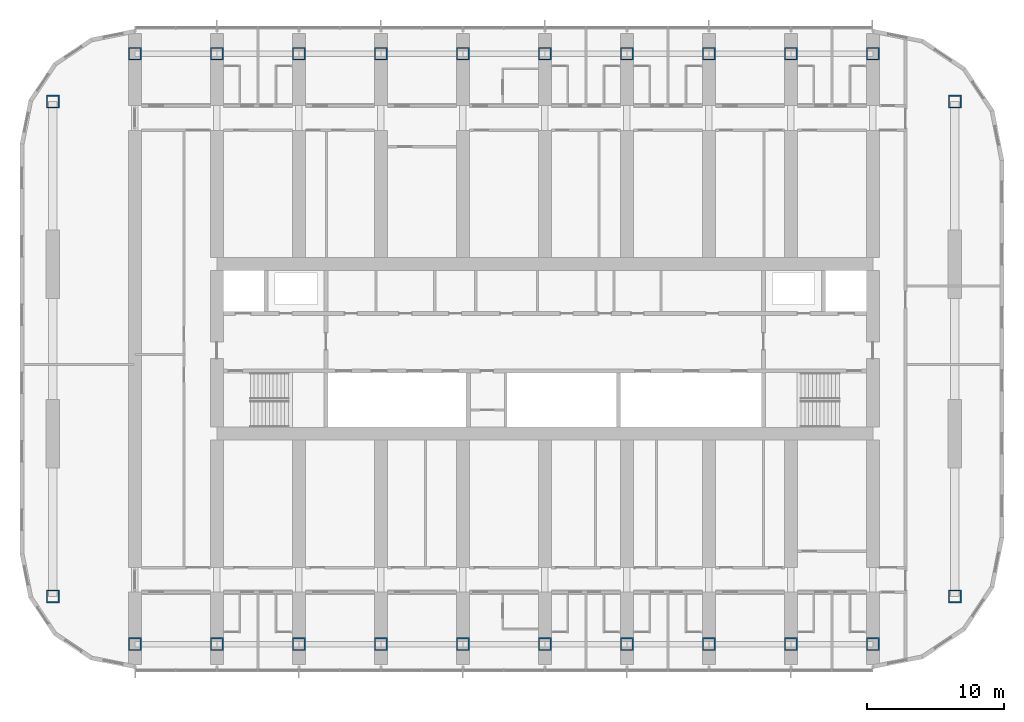
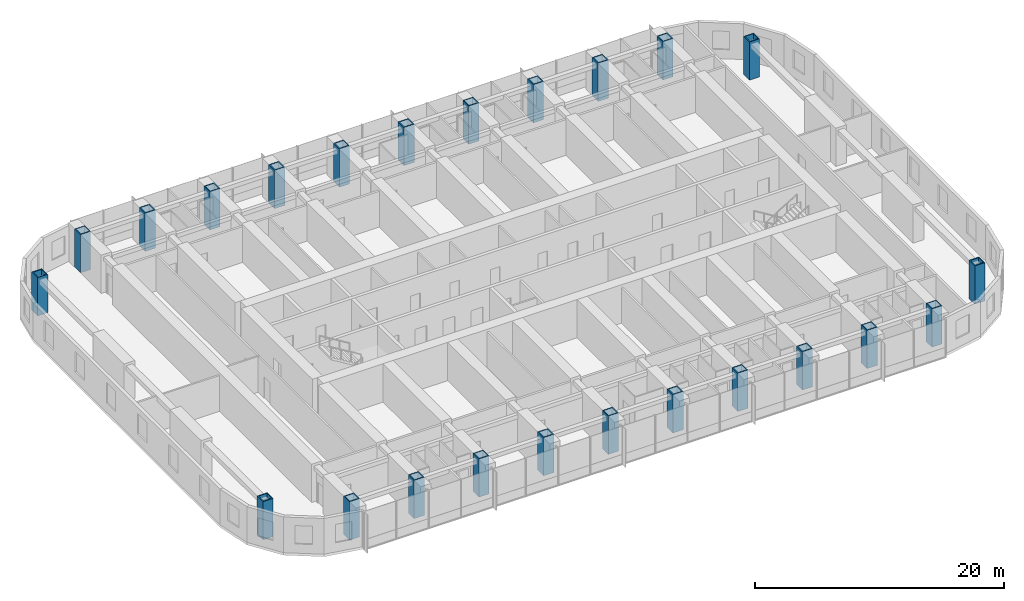
# One storey, part 1 of 21: 24 columns.
"""IFC4 building model written with IfcOpenShell, lengths in metres."""

from ifc_helpers import new_model, si_unit, direction, frame, origin, origin_2d, place, context, subcontext, project, spatial, hollow_rectangle, extrude, material, material_profile, profile_set, type_object, element, save


model = new_model("IFC4")

# Units and contexts
model_context = context("Model", 3, precision=1e-05, world=origin(), true_north=direction((0.0, 1.0)))
body_context = subcontext(model_context, "Body", "Model", "MODEL_VIEW")
ifc_project = project(units=[si_unit("LENGTHUNIT", "METRE"), si_unit("AREAUNIT", "SQUARE_METRE"), si_unit("VOLUMEUNIT", "CUBIC_METRE"), si_unit("PLANEANGLEUNIT", "RADIAN"), si_unit("MASSUNIT", "GRAM", prefix="KILO")], contexts=[model_context])

# Site, building, storey
site_placement = place(None, origin())
site = spatial("IfcSite", under=ifc_project, at=site_placement, CompositionType="ELEMENT")
building_placement = place(site_placement, origin())
building = spatial("IfcBuilding", under=site, at=building_placement, Name="Orbita Commons", CompositionType="ELEMENT")
storey_placement = place(building_placement, frame((0.0, 0.0, 106.89990234375)))
storey = spatial("IfcBuildingStorey", under=building, at=storey_placement, Name="L26", CompositionType="ELEMENT", Elevation=106.89990234375)

# Columns
ifc_material = material(Name="Steel ASTM A572 Gr 50 welded plate", Category="steel")
ifc_material_profile = material_profile(ifc_material, hollow_rectangle(XDim=0.949951171875, YDim=0.949951171875, WallThickness=0.094970703125, at=origin_2d()), Name="BOX 950x950x95")
ifc_profile_set = profile_set([ifc_material_profile], Name="Steel ASTM A572 Gr 50 welded plate")
column_type = type_object("IfcColumnType", Name="Steel column BOX 950x950x95", PredefinedType="COLUMN", material=ifc_profile_set)
for number, where, z_axis, x_axis, name in (
    (1, (12.0, 10.39990234375, 0.0), (0.0, 0.0, 1.0), (1.0, 0.0, 0.0), "Column 3/B L26"),
    (2, (12.0, 53.60009765625, 0.0), (0.0, 0.0, 1.0), (1.0, 0.0, 0.0), "Column 3/E L26"),
    (3, (18.0, 10.39990234375, 0.0), (0.0, 0.0, 1.0), (1.0, 0.0, 0.0), "Column 4/B L26"),
    (4, (18.0, 53.60009765625, 0.0), (0.0, 0.0, 1.0), (1.0, 0.0, 0.0), "Column 4/E L26"),
    (5, (24.0, 10.39990234375, 0.0), (0.0, 0.0, 1.0), (1.0, 0.0, 0.0), "Column 5/B L26"),
    (6, (24.0, 53.60009765625, 0.0), (0.0, 0.0, 1.0), (1.0, 0.0, 0.0), "Column 5/E L26"),
    (7, (30.0, 10.39990234375, 0.0), (0.0, 0.0, 1.0), (1.0, 0.0, 0.0), "Column 6/B L26"),
    (8, (30.0, 53.60009765625, 0.0), (0.0, 0.0, 1.0), (1.0, 0.0, 0.0), "Column 6/E L26"),
    (9, (36.0, 10.39990234375, 0.0), (0.0, 0.0, 1.0), (1.0, 0.0, 0.0), "Column 7/B L26"),
    (10, (36.0, 53.60009765625, 0.0), (0.0, 0.0, 1.0), (1.0, 0.0, 0.0), "Column 7/E L26"),
    (11, (42.0, 10.39990234375, 0.0), (0.0, 0.0, 1.0), (1.0, 0.0, 0.0), "Column 8/B L26"),
    (12, (42.0, 53.60009765625, 0.0), (0.0, 0.0, 1.0), (1.0, 0.0, 0.0), "Column 8/E L26"),
    (13, (48.0, 10.39990234375, 0.0), (0.0, 0.0, 1.0), (1.0, 0.0, 0.0), "Column 9/B L26"),
    (14, (48.0, 53.60009765625, 0.0), (0.0, 0.0, 1.0), (1.0, 0.0, 0.0), "Column 9/E L26"),
    (15, (54.0, 10.39990234375, 0.0), (0.0, 0.0, 1.0), (1.0, 0.0, 0.0), "Column 10/B L26"),
    (16, (54.0, 53.60009765625, 0.0), (0.0, 0.0, 1.0), (1.0, 0.0, 0.0), "Column 10/E L26"),
    (17, (60.0, 10.39990234375, 0.0), (0.0, 0.0, 1.0), (1.0, 0.0, 0.0), "Column 11/B L26"),
    (18, (60.0, 53.60009765625, 0.0), (0.0, 0.0, 1.0), (1.0, 0.0, 0.0), "Column 11/E L26"),
    (19, (66.0, 10.39990234375, 0.0), (0.0, 0.0, 1.0), (1.0, 0.0, 0.0), "Column 12/B L26"),
    (20, (66.0, 53.60009765625, 0.0), (0.0, 0.0, 1.0), (1.0, 0.0, 0.0), "Column 12/E L26"),
    (21, (6.0, 13.89990234375, 0.0), (0.0, 0.0, 1.0), (1.0, 0.0, 0.0), "Column 2/13.9 L26"),
    (22, (6.0, 50.10009765625, 0.0), (0.0, 0.0, 1.0), (1.0, 0.0, 0.0), "Column 2/50.1 L26"),
    (23, (72.0, 13.89990234375, 0.0), (0.0, 0.0, 1.0), (1.0, 0.0, 0.0), "Column 13/13.9 L26"),
    (24, (72.0, 50.10009765625, 0.0), (0.0, 0.0, 1.0), (1.0, 0.0, 0.0), "Column 13/50.1 L26"),
):
    element("IfcColumn", number, at=place(storey_placement, frame(where, z_axis=z_axis, x_axis=x_axis)), inside=storey, type_object=column_type, Name=name, PredefinedType="COLUMN", context=body_context, shape_type="SweptSolid", body=[
        extrude(hollow_rectangle(XDim=0.949951171875, YDim=0.949951171875, WallThickness=0.094970703125, at=origin_2d()), origin(), (0.0, 0.0, 1.0), 3.75),
    ])

save(model, "model.ifc")
